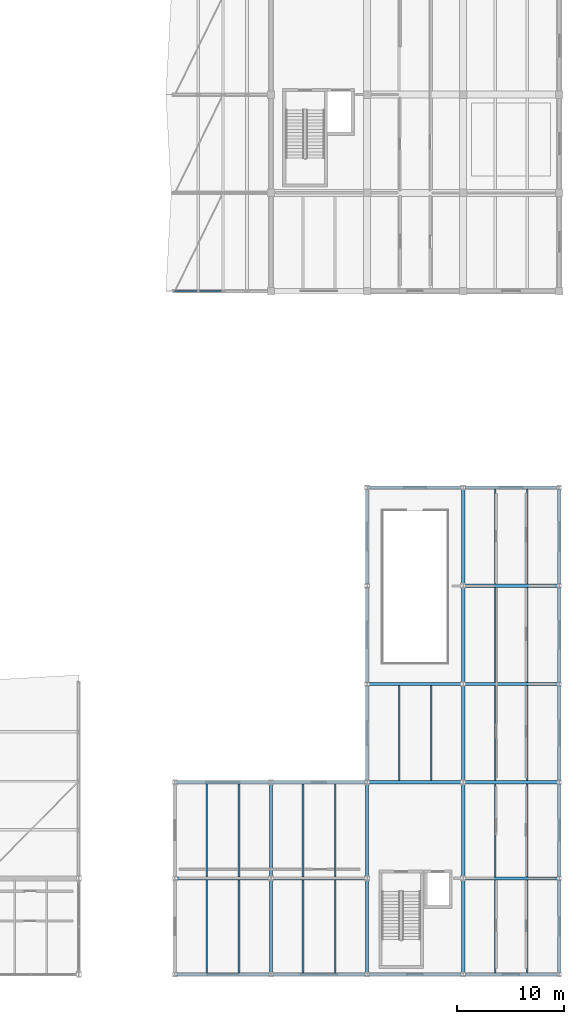
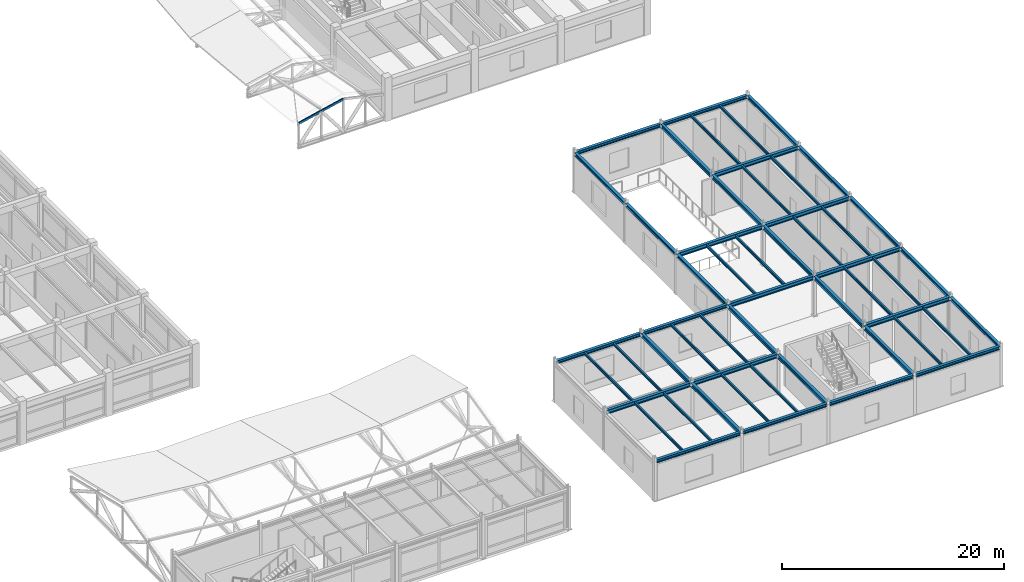
# One storey, part 40 of 90: 53 beams, 1 member.
"""IFC4 building model written with IfcOpenShell, lengths in metres."""

import ifcopenshell
import ifcopenshell.guid

model = None  # the IFC model being written
_history = None  # IfcOwnerHistory: only IFC2X3 demands one
_inside = {}  # id of a spatial element -> (the spatial element, [elements in it])
_under = {}  # id of a project, library or spatial element -> (it, [spatial elements below it])
_declared = {}  # id of a project -> (the project, [libraries it declares])
_typed = {}  # id of a type object -> (the type object, [elements of that type])
_made_of = {}  # id of a material, layer set ... -> (it, [elements and type objects made of it])


def new_model(schema):
    """Start an empty IFC model of exactly this schema.

    Asked for "IFC4X3", IfcOpenShell would pick the latest addendum, in which some entities
    have other attributes; the version numbers below select the first issue.
    IFC2X3 requires an IfcOwnerHistory on every rooted entity: one is made here for all.
    """
    global model, _history
    if schema == "IFC4X3":
        model = ifcopenshell.file(schema_version=(4, 3, 0, 0))
    else:
        model = ifcopenshell.file(schema=schema)
    _inside.clear()
    _under.clear()
    _declared.clear()
    _typed.clear()
    _made_of.clear()
    _history = None
    if model.schema == "IFC2X3":
        org = make("IfcOrganization", Name="unknown")
        user = make(
            "IfcPersonAndOrganization",
            ThePerson=make("IfcPerson", FamilyName="unknown"),
            TheOrganization=org,
        )
        app = make(
            "IfcApplication",
            ApplicationDeveloper=org,
            Version="unknown",
            ApplicationFullName="unknown",
            ApplicationIdentifier="unknown",
        )
        _history = make(
            "IfcOwnerHistory",
            OwningUser=user,
            OwningApplication=app,
            ChangeAction="ADDED",
            CreationDate=0,
        )
    return model


def make(cls, **values):
    """One entity of the class cls with the attributes given. An attribute that is None is left unset."""
    return model.create_entity(
        cls, **{name: value for name, value in values.items() if value is not None}
    )


def rooted(cls, **values):
    """An entity with a GlobalId (a new one), such as an element, a storey or a relation."""
    return make(cls, GlobalId=ifcopenshell.guid.new(), OwnerHistory=_history, **values)


def si_unit(unit_type, name, prefix=None):
    """IfcSIUnit, for example si_unit("LENGTHUNIT", "METRE", prefix="MILLI")."""
    return make("IfcSIUnit", UnitType=unit_type, Prefix=prefix, Name=name)


def assignment(units):
    """IfcUnitAssignment: the units of a project."""
    return None if units is None else make("IfcUnitAssignment", Units=units)


def point(xyz):
    """IfcCartesianPoint."""
    return None if xyz is None else make("IfcCartesianPoint", Coordinates=xyz)


def direction(xyz):
    """IfcDirection."""
    return None if xyz is None else make("IfcDirection", DirectionRatios=xyz)


def frame(location, z_axis=None, x_axis=None):
    """IfcAxis2Placement3D, a coordinate frame: its origin and axes. An axis left out is left unset."""
    return make(
        "IfcAxis2Placement3D",
        Location=point(location),
        Axis=direction(z_axis),
        RefDirection=direction(x_axis),
    )


def frame_2d(location, x_axis=None):
    """IfcAxis2Placement2D, a coordinate frame in the plane: its origin and x axis."""
    return make(
        "IfcAxis2Placement2D", Location=point(location), RefDirection=direction(x_axis)
    )


def origin():
    """The frame at (0, 0, 0) with its axes left unset."""
    return frame((0.0, 0.0, 0.0))


def origin_2d():
    """The frame at (0, 0) in the plane with its x axis left unset."""
    return frame_2d((0.0, 0.0))


def place(relative_to, where):
    """IfcLocalPlacement: puts the frame where relative to a parent placement (None: the world)."""
    return make(
        "IfcLocalPlacement", PlacementRelTo=relative_to, RelativePlacement=where
    )


def context(
    kind, dimensions, precision=None, world=None, true_north=None, identifier=None
):
    """IfcGeometricRepresentationContext, for example the 3D "Model" context."""
    return make(
        "IfcGeometricRepresentationContext",
        ContextIdentifier=identifier,
        ContextType=kind,
        CoordinateSpaceDimension=dimensions,
        Precision=precision,
        WorldCoordinateSystem=world,
        TrueNorth=true_north,
    )


def subcontext(parent, identifier, kind, view, scale=None):
    """IfcGeometricRepresentationSubContext, for example "Body" below "Model"."""
    return make(
        "IfcGeometricRepresentationSubContext",
        ContextIdentifier=identifier,
        ContextType=kind,
        ParentContext=parent,
        TargetScale=scale,
        TargetView=view,
    )


def project(units=None, contexts=None):
    """IfcProject with its units and contexts."""
    return rooted(
        "IfcProject",
        Name="project",
        RepresentationContexts=contexts,
        UnitsInContext=assignment(units),
    )


def spatial(cls, under=None, at=None, **own):
    """A site, building, storey or space (cls), placed at a placement, below another one or the project."""
    s = rooted(cls, ObjectPlacement=at, **own)
    if under is not None:
        _under.setdefault(under.id(), (under, []))[1].append(s)
    return s


def profile(cls, at=None, kind="AREA", **sizes):
    """A parametric profile (cls). Its sizes go by their IFC names, for example OverallWidth=200.0."""
    return make(cls, ProfileType=kind, Position=at, **sizes)


def hollow_rectangle(**sizes):
    """IfcRectangleHollowProfileDef."""
    return profile("IfcRectangleHollowProfileDef", **sizes)


def i_section(**sizes):
    """IfcIShapeProfileDef."""
    return profile("IfcIShapeProfileDef", **sizes)


def extrude(swept, where, along, depth):
    """IfcExtrudedAreaSolid: the profile swept, set in the frame where, extruded along a direction by depth."""
    return make(
        "IfcExtrudedAreaSolid",
        SweptArea=swept,
        Position=where,
        ExtrudedDirection=direction(along),
        Depth=depth,
    )


def shape(context_of_items, identifier, shape_type, items):
    """IfcShapeRepresentation: the items that make up one representation, for example the "Body"."""
    return make(
        "IfcShapeRepresentation",
        ContextOfItems=context_of_items,
        RepresentationIdentifier=identifier,
        RepresentationType=shape_type,
        Items=items,
    )


def material(Name=None, Category=None):
    """IfcMaterial."""
    return make("IfcMaterial", Name=Name, Category=Category)


def material_profile(
    of_material, cross_section, Name=None, Category=None, Priority=None
):
    """IfcMaterialProfile: a cross section and its material."""
    return make(
        "IfcMaterialProfile",
        Name=Name,
        Material=of_material,
        Profile=cross_section,
        Priority=Priority,
        Category=Category,
    )


def profile_set(profiles, Name=None, composite=None):
    """IfcMaterialProfileSet."""
    return make(
        "IfcMaterialProfileSet",
        Name=Name,
        MaterialProfiles=profiles,
        CompositeProfile=composite,
    )


def made_of(thing, what):
    """Note that an element or type object is made of a material, layer set ...; save() writes the relation."""
    if what is not None:
        _made_of.setdefault(what.id(), (what, []))[1].append(thing)
    return thing


def type_object(cls, material=None, **own):
    """A type object (cls), such as IfcWallType, which elements share."""
    return made_of(rooted(cls, **own), material)


def element(
    cls,
    number,
    at=None,
    inside=None,
    cuts=None,
    type_object=None,
    material=None,
    context=None,
    identifier="Body",
    shape_type=None,
    held_by="IfcProductDefinitionShape",
    body=None,
    shapes=None,
    **own,
):
    """One element of the class cls, such as IfcWall. Its Tag is "e" and its number.

    at: its placement. inside: the storey or other place that contains it. cuts: it is an
    opening in that element (IfcRelVoidsElement). A single representation is given by context,
    identifier, shape_type and body (its items); several are given by shapes. held_by: the class
    of the entity that holds the representations. save() writes the other relations.
    """
    e = rooted(cls, Tag="e%d" % number, ObjectPlacement=at, **own)
    if body is not None:
        shapes = [shape(context, identifier, shape_type, body)]
    if shapes is not None:
        e.Representation = make(held_by, Representations=shapes)
    if inside is not None:
        _inside.setdefault(inside.id(), (inside, []))[1].append(e)
    if cuts is not None:
        rooted(
            "IfcRelVoidsElement", RelatingBuildingElement=cuts, RelatedOpeningElement=e
        )
    if type_object is not None:
        _typed.setdefault(type_object.id(), (type_object, []))[1].append(e)
    return made_of(e, material)


def aggregate(whole, parts):
    """IfcRelAggregates: a whole, such as a stair, and the parts it consists of."""
    return rooted("IfcRelAggregates", RelatingObject=whole, RelatedObjects=parts)


def save(model, path):
    """Write the relations noted so far, then the file.

    IfcRelAggregates (storeys below a building ...), IfcRelContainedInSpatialStructure (elements
    in a storey), IfcRelDefinesByType, IfcRelAssociatesMaterial and IfcRelDeclares: one each for
    every whole, place, type object, material and project.
    """
    for whole, parts in _under.values():
        aggregate(whole, parts)
    for where, things in _inside.values():
        rooted(
            "IfcRelContainedInSpatialStructure",
            RelatedElements=things,
            RelatingStructure=where,
        )
    for kind, things in _typed.values():
        rooted("IfcRelDefinesByType", RelatedObjects=things, RelatingType=kind)
    for what, things in _made_of.values():
        rooted("IfcRelAssociatesMaterial", RelatedObjects=things, RelatingMaterial=what)
    for by, libraries in _declared.values():
        rooted("IfcRelDeclares", RelatingContext=by, RelatedDefinitions=libraries)
    model.write(path)


model = new_model("IFC4")

# Units and contexts
model_context = context("Model", 3, precision=1e-05, world=origin(), true_north=direction((0.0, 1.0)))
body_context = subcontext(model_context, "Body", "Model", "MODEL_VIEW")
ifc_project = project(units=[si_unit("LENGTHUNIT", "METRE"), si_unit("AREAUNIT", "SQUARE_METRE"), si_unit("VOLUMEUNIT", "CUBIC_METRE"), si_unit("PLANEANGLEUNIT", "RADIAN"), si_unit("MASSUNIT", "GRAM", prefix="KILO")], contexts=[model_context])

# Site, building, storey
site_placement = place(None, origin())
site = spatial("IfcSite", under=ifc_project, at=site_placement, CompositionType="ELEMENT")
building_placement = place(site_placement, origin())
building = spatial("IfcBuilding", under=site, at=building_placement, Name="Bozkorgan Art Gallery", CompositionType="ELEMENT")
storey_placement = place(building_placement, frame((0.0, 0.0, 5.39990234375)))
storey = spatial("IfcBuildingStorey", under=building, at=storey_placement, Name="L01", CompositionType="ELEMENT", Elevation=5.39990234375)

# Beams
ifc_material = material(Name="Steel S355J2", Category="steel")
ifc_material_profile_1 = material_profile(ifc_material, i_section(OverallWidth=0.300048828125, OverallDepth=0.43994140625, WebThickness=0.011474609375, FlangeThickness=0.02099609375, FilletRadius=0.027099609375, at=origin_2d()), Name="HEA 450")
ifc_profile_set_1 = profile_set([ifc_material_profile_1], Name="Steel S355J2")
beam_type_1 = type_object("IfcBeamType", Name="BEAM-BM-76", PredefinedType="BEAM", material=ifc_profile_set_1)
for number, where, z_axis, x_axis, name in (
    (1, (128.14990234375, 11.0, 4.22021484375), (1.0, 0.0, 0.0), (0.0, 1.0, 0.0), "V6 L01 beam X (128-137, 11.0)"),
    (2, (137.14990234375, 11.0, 4.22021484375), (1.0, 0.0, 0.0), (0.0, 1.0, 0.0), "V6 L01 beam X (137-146, 11.0)"),
    (3, (155.14990234375, 11.0, 4.22021484375), (1.0, 0.0, 0.0), (0.0, 1.0, 0.0), "V6 L01 beam X (155-164, 11.0)"),
    (4, (146.14990234375, 20.0, 4.22021484375), (1.0, 0.0, 0.0), (0.0, 1.0, 0.0), "V6 L01 beam X (146-155, 20.0)"),
    (5, (155.14990234375, 20.0, 4.22021484375), (1.0, 0.0, 0.0), (0.0, 1.0, 0.0), "V6 L01 beam X (155-164, 20.0)"),
    (6, (146.14990234375, 29.199951171875, 4.22021484375), (1.0, 0.0, 0.0), (0.0, 1.0, 0.0), "V6 L01 beam X (146-155, 29.2)"),
    (7, (155.14990234375, 29.199951171875, 4.22021484375), (1.0, 0.0, 0.0), (0.0, 1.0, 0.0), "V6 L01 beam X (155-164, 29.2)"),
    (8, (155.14990234375, 38.39990234375, 4.22021484375), (1.0, 0.0, 0.0), (0.0, 1.0, 0.0), "V6 L01 beam X (155-164, 38.4)"),
):
    element("IfcBeam", number, at=place(storey_placement, frame(where, z_axis=z_axis, x_axis=x_axis)), inside=storey, type_object=beam_type_1, Name=name, PredefinedType="BEAM", context=body_context, shape_type="SweptSolid", body=[
        extrude(i_section(OverallWidth=0.300048828125, OverallDepth=0.43994140625, WebThickness=0.011474609375, FlangeThickness=0.02099609375, FilletRadius=0.027099609375, at=origin_2d()), origin(), (0.0, 0.0, 1.0), 8.7001953125),
    ])
for number, where, z_axis, x_axis, name in (
    (9, (137.0, 2.159912109375, 4.22021484375), (0.0, 1.0, 0.0), (-1.0, 0.0, 0.0), "V6 L01 beam Y (137, 2.0-11.0)"),
    (10, (137.0, 11.1650390625, 4.22021484375), (0.0, 1.0, 0.0), (-1.0, 0.0, 0.0), "V6 L01 beam Y (137, 11.0-20.0)"),
    (11, (146.0, 2.159912109375, 4.22021484375), (0.0, 1.0, 0.0), (-1.0, 0.0, 0.0), "V6 L01 beam Y (146, 2.0-11.0)"),
):
    element("IfcBeam", number, at=place(storey_placement, frame(where, z_axis=z_axis, x_axis=x_axis)), inside=storey, type_object=beam_type_1, Name=name, PredefinedType="BEAM", context=body_context, shape_type="SweptSolid", body=[
        extrude(i_section(OverallWidth=0.300048828125, OverallDepth=0.43994140625, WebThickness=0.011474609375, FlangeThickness=0.02099609375, FilletRadius=0.027099609375, at=origin_2d()), origin(), (0.0, 0.0, 1.0), 8.675048828125),
    ])
beam_1_placement = place(storey_placement, frame((146.0, 11.1650390625, 4.22021484375), z_axis=(0.0, 1.0, 0.0), x_axis=(-1.0, 0.0, 0.0)))
element("IfcBeam", 12, at=beam_1_placement, inside=storey, type_object=beam_type_1, Name="V6 L01 beam Y (146, 11.0-20.0)", PredefinedType="BEAM", context=body_context, shape_type="SweptSolid", body=[
    extrude(i_section(OverallWidth=0.300048828125, OverallDepth=0.43994140625, WebThickness=0.011474609375, FlangeThickness=0.02099609375, FilletRadius=0.027099609375, at=origin_2d()), origin(), (0.0, 0.0, 1.0), 8.669921875),
])
beam_2_placement = place(storey_placement, frame((155.0, 2.159912109375, 4.22021484375), z_axis=(0.0, 1.0, 0.0), x_axis=(-1.0, 0.0, 0.0)))
element("IfcBeam", 13, at=beam_2_placement, inside=storey, type_object=beam_type_1, Name="V6 L01 beam Y (155, 2.0-11.0)", PredefinedType="BEAM", context=body_context, shape_type="SweptSolid", body=[
    extrude(i_section(OverallWidth=0.300048828125, OverallDepth=0.43994140625, WebThickness=0.011474609375, FlangeThickness=0.02099609375, FilletRadius=0.027099609375, at=origin_2d()), origin(), (0.0, 0.0, 1.0), 8.675048828125),
])
beam_3_placement = place(storey_placement, frame((155.0, 11.1650390625, 4.22021484375), z_axis=(0.0, 1.0, 0.0), x_axis=(-1.0, 0.0, 0.0)))
element("IfcBeam", 14, at=beam_3_placement, inside=storey, type_object=beam_type_1, Name="V6 L01 beam Y (155, 11.0-20.0)", PredefinedType="BEAM", context=body_context, shape_type="SweptSolid", body=[
    extrude(i_section(OverallWidth=0.300048828125, OverallDepth=0.43994140625, WebThickness=0.011474609375, FlangeThickness=0.02099609375, FilletRadius=0.027099609375, at=origin_2d()), origin(), (0.0, 0.0, 1.0), 8.669921875),
])
beam_4_placement = place(storey_placement, frame((155.0, 20.1650390625, 4.22021484375), z_axis=(0.0, 1.0, 0.0), x_axis=(-1.0, 0.0, 0.0)))
element("IfcBeam", 15, at=beam_4_placement, inside=storey, type_object=beam_type_1, Name="V6 L01 beam Y (155, 20.0-29.2)", PredefinedType="BEAM", context=body_context, shape_type="SweptSolid", body=[
    extrude(i_section(OverallWidth=0.300048828125, OverallDepth=0.43994140625, WebThickness=0.011474609375, FlangeThickness=0.02099609375, FilletRadius=0.027099609375, at=origin_2d()), origin(), (0.0, 0.0, 1.0), 8.869873046875),
])
beam_5_placement = place(storey_placement, frame((155.0, 29.364990234375, 4.22021484375), z_axis=(0.0, 1.0, 0.0), x_axis=(-1.0, 0.0, 0.0)))
element("IfcBeam", 16, at=beam_5_placement, inside=storey, type_object=beam_type_1, Name="V6 L01 beam Y (155, 29.2-38.4)", PredefinedType="BEAM", context=body_context, shape_type="SweptSolid", body=[
    extrude(i_section(OverallWidth=0.300048828125, OverallDepth=0.43994140625, WebThickness=0.011474609375, FlangeThickness=0.02099609375, FilletRadius=0.027099609375, at=origin_2d()), origin(), (0.0, 0.0, 1.0), 8.8701171875),
])
beam_6_placement = place(storey_placement, frame((155.0, 38.56494140625, 4.22021484375), z_axis=(0.0, 1.0, 0.0), x_axis=(-1.0, 0.0, 0.0)))
element("IfcBeam", 17, at=beam_6_placement, inside=storey, type_object=beam_type_1, Name="V6 L01 beam Y (155, 38.4-47.6)", PredefinedType="BEAM", context=body_context, shape_type="SweptSolid", body=[
    extrude(i_section(OverallWidth=0.300048828125, OverallDepth=0.43994140625, WebThickness=0.011474609375, FlangeThickness=0.02099609375, FilletRadius=0.027099609375, at=origin_2d()), origin(), (0.0, 0.0, 1.0), 8.875),
])
ifc_material_profile_2 = material_profile(ifc_material, i_section(OverallWidth=0.14990234375, OverallDepth=0.300048828125, WebThickness=0.007080078125, FlangeThickness=0.0107421875, FilletRadius=0.014892578125, at=origin_2d()), Name="IPE 300")
ifc_profile_set_2 = profile_set([ifc_material_profile_2], Name="Steel S355J2")
beam_type_2 = type_object("IfcBeamType", Name="BEAM-JS-88", PredefinedType="JOIST", material=ifc_profile_set_2)
for number, where, z_axis, x_axis, name in (
    (18, (131.0, 2.14990234375, 4.2900390625), (0.0, 1.0, 0.0), (-1.0, 0.0, 0.0), "V6 L01 secondary joist (128-137, 2.0-11.0) #1"),
    (19, (134.0, 2.14990234375, 4.2900390625), (0.0, 1.0, 0.0), (-1.0, 0.0, 0.0), "V6 L01 secondary joist (128-137, 2.0-11.0) #2"),
    (20, (131.0, 11.14990234375, 4.2900390625), (0.0, 1.0, 0.0), (-1.0, 0.0, 0.0), "V6 L01 secondary joist (128-137, 11.0-20.0) #1"),
    (21, (134.0, 11.14990234375, 4.2900390625), (0.0, 1.0, 0.0), (-1.0, 0.0, 0.0), "V6 L01 secondary joist (128-137, 11.0-20.0) #2"),
    (22, (140.0, 2.14990234375, 4.2900390625), (0.0, 1.0, 0.0), (-1.0, 0.0, 0.0), "V6 L01 secondary joist (137-146, 2.0-11.0) #1"),
    (23, (143.0, 2.14990234375, 4.2900390625), (0.0, 1.0, 0.0), (-1.0, 0.0, 0.0), "V6 L01 secondary joist (137-146, 2.0-11.0) #2"),
    (24, (140.0, 11.14990234375, 4.2900390625), (0.0, 1.0, 0.0), (-1.0, 0.0, 0.0), "V6 L01 secondary joist (137-146, 11.0-20.0) #1"),
    (25, (143.0, 11.14990234375, 4.2900390625), (0.0, 1.0, 0.0), (-1.0, 0.0, 0.0), "V6 L01 secondary joist (137-146, 11.0-20.0) #2"),
):
    element("IfcBeam", number, at=place(storey_placement, frame(where, z_axis=z_axis, x_axis=x_axis)), inside=storey, type_object=beam_type_2, Name=name, PredefinedType="JOIST", context=body_context, shape_type="SweptSolid", body=[
        extrude(i_section(OverallWidth=0.14990234375, OverallDepth=0.300048828125, WebThickness=0.007080078125, FlangeThickness=0.0107421875, FilletRadius=0.014892578125, at=origin_2d()), origin(), (0.0, 0.0, 1.0), 8.7001953125),
    ])
for number, where, z_axis, x_axis, name in (
    (26, (149.0, 20.14990234375, 4.2900390625), (0.0, 1.0, 0.0), (-1.0, 0.0, 0.0), "V6 L01 secondary joist (146-155, 20.0-29.2) #1"),
    (27, (152.0, 20.14990234375, 4.2900390625), (0.0, 1.0, 0.0), (-1.0, 0.0, 0.0), "V6 L01 secondary joist (146-155, 20.0-29.2) #2"),
):
    element("IfcBeam", number, at=place(storey_placement, frame(where, z_axis=z_axis, x_axis=x_axis)), inside=storey, type_object=beam_type_2, Name=name, PredefinedType="JOIST", context=body_context, shape_type="SweptSolid", body=[
        extrude(i_section(OverallWidth=0.14990234375, OverallDepth=0.300048828125, WebThickness=0.007080078125, FlangeThickness=0.0107421875, FilletRadius=0.014892578125, at=origin_2d()), origin(), (0.0, 0.0, 1.0), 8.900146484375),
    ])
for number, where, z_axis, x_axis, name in (
    (28, (158.0, 2.14990234375, 4.2900390625), (0.0, 1.0, 0.0), (-1.0, 0.0, 0.0), "V6 L01 secondary joist (155-164, 2.0-11.0) #1"),
    (29, (161.0, 2.14990234375, 4.2900390625), (0.0, 1.0, 0.0), (-1.0, 0.0, 0.0), "V6 L01 secondary joist (155-164, 2.0-11.0) #2"),
    (30, (158.0, 11.14990234375, 4.2900390625), (0.0, 1.0, 0.0), (-1.0, 0.0, 0.0), "V6 L01 secondary joist (155-164, 11.0-20.0) #1"),
    (31, (161.0, 11.14990234375, 4.2900390625), (0.0, 1.0, 0.0), (-1.0, 0.0, 0.0), "V6 L01 secondary joist (155-164, 11.0-20.0) #2"),
):
    element("IfcBeam", number, at=place(storey_placement, frame(where, z_axis=z_axis, x_axis=x_axis)), inside=storey, type_object=beam_type_2, Name=name, PredefinedType="JOIST", context=body_context, shape_type="SweptSolid", body=[
        extrude(i_section(OverallWidth=0.14990234375, OverallDepth=0.300048828125, WebThickness=0.007080078125, FlangeThickness=0.0107421875, FilletRadius=0.014892578125, at=origin_2d()), origin(), (0.0, 0.0, 1.0), 8.7001953125),
    ])
for number, where, z_axis, x_axis, name in (
    (32, (158.0, 20.14990234375, 4.2900390625), (0.0, 1.0, 0.0), (-1.0, 0.0, 0.0), "V6 L01 secondary joist (155-164, 20.0-29.2) #1"),
    (33, (161.0, 20.14990234375, 4.2900390625), (0.0, 1.0, 0.0), (-1.0, 0.0, 0.0), "V6 L01 secondary joist (155-164, 20.0-29.2) #2"),
):
    element("IfcBeam", number, at=place(storey_placement, frame(where, z_axis=z_axis, x_axis=x_axis)), inside=storey, type_object=beam_type_2, Name=name, PredefinedType="JOIST", context=body_context, shape_type="SweptSolid", body=[
        extrude(i_section(OverallWidth=0.14990234375, OverallDepth=0.300048828125, WebThickness=0.007080078125, FlangeThickness=0.0107421875, FilletRadius=0.014892578125, at=origin_2d()), origin(), (0.0, 0.0, 1.0), 8.900146484375),
    ])
for number, where, z_axis, x_axis, name in (
    (34, (158.0, 29.35009765625, 4.2900390625), (0.0, 1.0, 0.0), (-1.0, 0.0, 0.0), "V6 L01 secondary joist (155-164, 29.2-38.4) #1"),
    (35, (161.0, 29.35009765625, 4.2900390625), (0.0, 1.0, 0.0), (-1.0, 0.0, 0.0), "V6 L01 secondary joist (155-164, 29.2-38.4) #2"),
    (36, (158.0, 38.550048828125, 4.2900390625), (0.0, 1.0, 0.0), (-1.0, 0.0, 0.0), "V6 L01 secondary joist (155-164, 38.4-47.6) #1"),
    (37, (161.0, 38.550048828125, 4.2900390625), (0.0, 1.0, 0.0), (-1.0, 0.0, 0.0), "V6 L01 secondary joist (155-164, 38.4-47.6) #2"),
):
    element("IfcBeam", number, at=place(storey_placement, frame(where, z_axis=z_axis, x_axis=x_axis)), inside=storey, type_object=beam_type_2, Name=name, PredefinedType="JOIST", context=body_context, shape_type="SweptSolid", body=[
        extrude(i_section(OverallWidth=0.14990234375, OverallDepth=0.300048828125, WebThickness=0.007080078125, FlangeThickness=0.0107421875, FilletRadius=0.014892578125, at=origin_2d()), origin(), (0.0, 0.0, 1.0), 8.89990234375),
    ])
ifc_material_profile_3 = material_profile(ifc_material, i_section(OverallWidth=0.300048828125, OverallDepth=0.35009765625, WebThickness=0.010009765625, FlangeThickness=0.017578125, FilletRadius=0.027099609375, at=origin_2d()), Name="HEA 360")
ifc_profile_set_3 = profile_set([ifc_material_profile_3], Name="Steel S355J2")
beam_type_3 = type_object("IfcBeamType", Name="BEAM-SP-97", PredefinedType="SPANDREL", material=ifc_profile_set_3)
for number, where, z_axis, x_axis, name in (
    (38, (128.14990234375, 2.0, 4.26513671875), (1.0, 0.0, 0.0), (0.0, 1.0, 0.0), "V6 L01 spandrel X (128-137, 2.0)"),
    (39, (137.14990234375, 2.0, 4.26513671875), (1.0, 0.0, 0.0), (0.0, 1.0, 0.0), "V6 L01 spandrel X (137-146, 2.0)"),
    (40, (146.14990234375, 2.0, 4.26513671875), (1.0, 0.0, 0.0), (0.0, 1.0, 0.0), "V6 L01 spandrel X (146-155, 2.0)"),
    (41, (155.14990234375, 2.0, 4.26513671875), (1.0, 0.0, 0.0), (0.0, 1.0, 0.0), "V6 L01 spandrel X (155-164, 2.0)"),
    (42, (128.14990234375, 20.0, 4.26513671875), (1.0, 0.0, 0.0), (0.0, 1.0, 0.0), "V6 L01 spandrel X (128-137, 20.0)"),
    (43, (137.14990234375, 20.0, 4.26513671875), (1.0, 0.0, 0.0), (0.0, 1.0, 0.0), "V6 L01 spandrel X (137-146, 20.0)"),
    (44, (146.14990234375, 47.60009765625, 4.26513671875), (1.0, 0.0, 0.0), (0.0, 1.0, 0.0), "V6 L01 spandrel X (146-155, 47.6)"),
    (45, (155.14990234375, 47.60009765625, 4.26513671875), (1.0, 0.0, 0.0), (0.0, 1.0, 0.0), "V6 L01 spandrel X (155-164, 47.6)"),
):
    element("IfcBeam", number, at=place(storey_placement, frame(where, z_axis=z_axis, x_axis=x_axis)), inside=storey, type_object=beam_type_3, Name=name, PredefinedType="SPANDREL", context=body_context, shape_type="SweptSolid", body=[
        extrude(i_section(OverallWidth=0.300048828125, OverallDepth=0.35009765625, WebThickness=0.010009765625, FlangeThickness=0.017578125, FilletRadius=0.027099609375, at=origin_2d()), origin(), (0.0, 0.0, 1.0), 8.7001953125),
    ])
beam_7_placement = place(storey_placement, frame((146.0, 20.1650390625, 4.26513671875), z_axis=(0.0, 1.0, 0.0), x_axis=(-1.0, 0.0, 0.0)))
element("IfcBeam", 46, at=beam_7_placement, inside=storey, type_object=beam_type_3, Name="V6 L01 spandrel Y (146, 20.0-29.2)", PredefinedType="SPANDREL", context=body_context, shape_type="SweptSolid", body=[
    extrude(i_section(OverallWidth=0.300048828125, OverallDepth=0.35009765625, WebThickness=0.010009765625, FlangeThickness=0.017578125, FilletRadius=0.027099609375, at=origin_2d()), origin(), (0.0, 0.0, 1.0), 8.875),
])
for number, where, z_axis, x_axis, name in (
    (47, (146.0, 29.360107421875, 4.26513671875), (0.0, 1.0, 0.0), (-1.0, 0.0, 0.0), "V6 L01 spandrel Y (146, 29.2-38.4)"),
    (48, (146.0, 38.56005859375, 4.26513671875), (0.0, 1.0, 0.0), (-1.0, 0.0, 0.0), "V6 L01 spandrel Y (146, 38.4-47.6)"),
):
    element("IfcBeam", number, at=place(storey_placement, frame(where, z_axis=z_axis, x_axis=x_axis)), inside=storey, type_object=beam_type_3, Name=name, PredefinedType="SPANDREL", context=body_context, shape_type="SweptSolid", body=[
        extrude(i_section(OverallWidth=0.300048828125, OverallDepth=0.35009765625, WebThickness=0.010009765625, FlangeThickness=0.017578125, FilletRadius=0.027099609375, at=origin_2d()), origin(), (0.0, 0.0, 1.0), 8.8798828125),
    ])
for number, where, z_axis, x_axis, name in (
    (49, (164.0, 2.159912109375, 4.26513671875), (0.0, 1.0, 0.0), (-1.0, 0.0, 0.0), "V6 L01 spandrel Y (164, 2.0-11.0)"),
    (50, (164.0, 11.159912109375, 4.26513671875), (0.0, 1.0, 0.0), (-1.0, 0.0, 0.0), "V6 L01 spandrel Y (164, 11.0-20.0)"),
):
    element("IfcBeam", number, at=place(storey_placement, frame(where, z_axis=z_axis, x_axis=x_axis)), inside=storey, type_object=beam_type_3, Name=name, PredefinedType="SPANDREL", context=body_context, shape_type="SweptSolid", body=[
        extrude(i_section(OverallWidth=0.300048828125, OverallDepth=0.35009765625, WebThickness=0.010009765625, FlangeThickness=0.017578125, FilletRadius=0.027099609375, at=origin_2d()), origin(), (0.0, 0.0, 1.0), 8.68017578125),
    ])
beam_8_placement = place(storey_placement, frame((164.0, 20.159912109375, 4.26513671875), z_axis=(0.0, 1.0, 0.0), x_axis=(-1.0, 0.0, 0.0)))
element("IfcBeam", 51, at=beam_8_placement, inside=storey, type_object=beam_type_3, Name="V6 L01 spandrel Y (164, 20.0-29.2)", PredefinedType="SPANDREL", context=body_context, shape_type="SweptSolid", body=[
    extrude(i_section(OverallWidth=0.300048828125, OverallDepth=0.35009765625, WebThickness=0.010009765625, FlangeThickness=0.017578125, FilletRadius=0.027099609375, at=origin_2d()), origin(), (0.0, 0.0, 1.0), 8.880126953125),
])
for number, where, z_axis, x_axis, name in (
    (52, (164.0, 29.360107421875, 4.26513671875), (0.0, 1.0, 0.0), (-1.0, 0.0, 0.0), "V6 L01 spandrel Y (164, 29.2-38.4)"),
    (53, (164.0, 38.56005859375, 4.26513671875), (0.0, 1.0, 0.0), (-1.0, 0.0, 0.0), "V6 L01 spandrel Y (164, 38.4-47.6)"),
):
    element("IfcBeam", number, at=place(storey_placement, frame(where, z_axis=z_axis, x_axis=x_axis)), inside=storey, type_object=beam_type_3, Name=name, PredefinedType="SPANDREL", context=body_context, shape_type="SweptSolid", body=[
        extrude(i_section(OverallWidth=0.300048828125, OverallDepth=0.35009765625, WebThickness=0.010009765625, FlangeThickness=0.017578125, FilletRadius=0.027099609375, at=origin_2d()), origin(), (0.0, 0.0, 1.0), 8.8798828125),
    ])

# Member
ifc_material_profile_4 = material_profile(ifc_material, hollow_rectangle(XDim=0.14990234375, YDim=0.25, WallThickness=0.010009765625, InnerFilletRadius=0.014892578125, OuterFilletRadius=0.02490234375, at=origin_2d()), Name="RHS 250x150x10")
ifc_profile_set_4 = profile_set([ifc_material_profile_4], Name="Steel S355J2")
member_type = type_object("IfcMemberType", Name="MEMBER-TC-35", PredefinedType="CHORD", material=ifc_profile_set_4)
member_placement = place(storey_placement, frame((127.85009765625, 66.0, 2.7451171875), z_axis=(0.975150958549, 0.0, 0.221541436398), x_axis=(0.0, 1.0, 0.0)))
element("IfcMember", 54, at=member_placement, inside=storey, type_object=member_type, Name="ROOF-V5-DOCK roof truss 1 west top chord", PredefinedType="CHORD", context=body_context, shape_type="SweptSolid", body=[
    extrude(hollow_rectangle(XDim=0.14990234375, YDim=0.25, WallThickness=0.010009765625, InnerFilletRadius=0.014892578125, OuterFilletRadius=0.02490234375, at=origin_2d()), origin(), (0.0, 0.0, 1.0), 4.768310546875),
])

save(model, "model.ifc")
